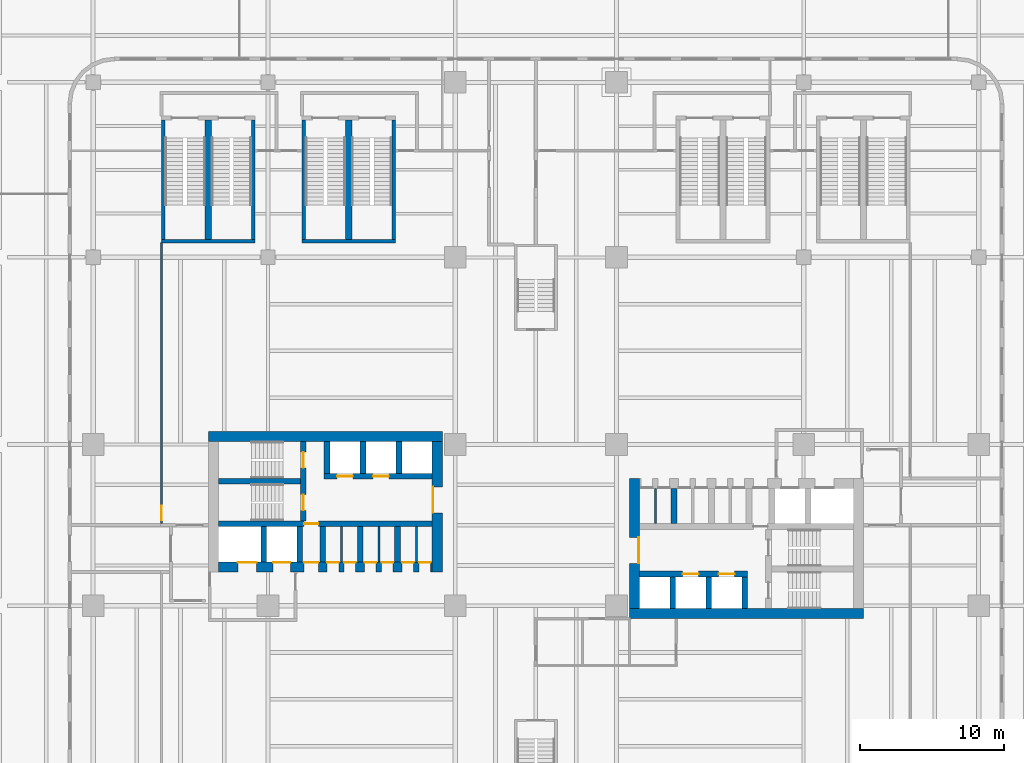
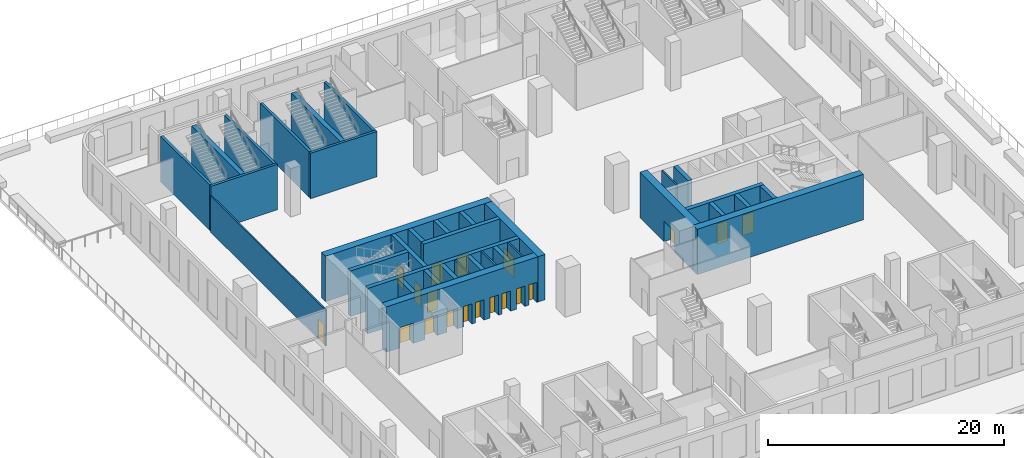
# One storey, part 9 of 17: 35 walls, 19 doors, 19 openings.
"""IFC4 building model written with IfcOpenShell, lengths in metres."""

from ifc_helpers import new_model, si_unit, direction, frame, frame_2d, origin, place, context, subcontext, project, spatial, rectangle, extrude, source, transform, mapped, material, layer, layer_set, type_object, element, fill, save


model = new_model("IFC4")

# Units and contexts
model_context = context("Model", 3, precision=1e-05, world=origin(), true_north=direction((0.0, 1.0)))
body_context = subcontext(model_context, "Body", "Model", "MODEL_VIEW")
ifc_project = project(units=[si_unit("LENGTHUNIT", "METRE"), si_unit("AREAUNIT", "SQUARE_METRE"), si_unit("VOLUMEUNIT", "CUBIC_METRE"), si_unit("PLANEANGLEUNIT", "RADIAN"), si_unit("MASSUNIT", "GRAM", prefix="KILO")], contexts=[model_context])

# Site, building, storey
site_placement = place(None, origin())
site = spatial("IfcSite", under=ifc_project, at=site_placement, CompositionType="ELEMENT")
building_placement = place(site_placement, origin())
building = spatial("IfcBuilding", under=site, at=building_placement, Name="Trellis Farm Tower", CompositionType="ELEMENT")
storey_placement = place(building_placement, frame((0.0, 0.0, 24.0)))
storey = spatial("IfcBuildingStorey", under=building, at=storey_placement, Name="L04", CompositionType="ELEMENT", Elevation=24.0)

# Wall, opening, door
ifc_material_1 = material(Name="Concrete C80/95", Category="concrete")
ifc_layer_1 = layer(ifc_material_1, 0.699951171875)
ifc_layer_set_1 = layer_set([ifc_layer_1], Name="CORE OUTER WALL 700 CONCRETE C80/95")
wall_type_1 = type_object("IfcWallType", Name="CORE OUTER WALL 700 CONCRETE C80/95", PredefinedType="SHEAR", material=ifc_layer_set_1)
shared_shape_1 = source(origin(), body_context, "Body", "SweptSolid", [
    extrude(rectangle(XDim=9.050048828125, YDim=0.699951171875, at=frame_2d((4.52490234375, 0.0))), origin(), (0.0, 0.0, 1.0), 4.699951171875),
])
wall_1_placement = place(storey_placement, frame((6.85009765625, -5.800048828125, 0.0), z_axis=(0.0, 0.0, 1.0), x_axis=(0.0, 1.0, 0.0)))
wall_1 = element("IfcWall", 1, at=wall_1_placement, inside=storey, type_object=wall_type_1, Name="Core wall", PredefinedType="SHEAR", context=body_context, shape_type="MappedRepresentation", body=[
    mapped(shared_shape_1, transform((0.0, 0.0, 0.0))),
])
shared_shape_2 = source(origin(), body_context, "Body", "SweptSolid", [
    extrude(rectangle(XDim=1.800048828125, YDim=2.10009765625, at=frame_2d((0.89990234375, 1.050048828125))), frame((0.0, 0.360107421875, 0.0), z_axis=(0.0, -1.0, 0.0), x_axis=(1.0, 0.0, 0.0)), (0.0, 0.0, 1.0), 0.72021484375),
])
opening_1_placement = place(wall_1_placement, frame((3.14990234375, 0.0, 0.0)))
opening_1 = element("IfcOpeningElement", 2, at=opening_1_placement, cuts=wall_1, Name="Opening DC1", PredefinedType="OPENING", context=body_context, shape_type="MappedRepresentation", body=[
    mapped(shared_shape_2, transform((0.0, 0.0, 0.0))),
])
ifc_material_2 = material(Name="Steel", Category="steel")
door_type_1 = type_object("IfcDoorType", Name="CORE FIRE DOOR DOUBLE 1800 X 2100", OperationType="DOUBLE_DOOR_SINGLE_SWING", PredefinedType="DOOR", material=ifc_material_2)
shared_shape_3 = source(origin(), body_context, "Body", "SweptSolid", [
    extrude(rectangle(XDim=1.800048828125, YDim=2.10009765625, at=frame_2d((0.89990234375, 1.050048828125))), frame((0.0, -0.27490234375, 0.0), z_axis=(0.0, -1.0, 0.0), x_axis=(1.0, 0.0, 0.0)), (0.0, 0.0, 1.0), 0.050048828125),
])
door_1_placement = place(opening_1_placement, origin())
door_1 = element("IfcDoor", 3, at=door_1_placement, inside=storey, type_object=door_type_1, Name="Core door", OperationType="DOUBLE_DOOR_SINGLE_SWING", OverallHeight=2.10009765625, OverallWidth=1.800048828125, PredefinedType="DOOR", context=body_context, shape_type="MappedRepresentation", body=[
    mapped(shared_shape_3, transform((0.0, 0.0, 0.0))),
])
fill(opening_1, door_1)

wall_2_placement = place(storey_placement, frame((-6.85009765625, 5.800048828125, 0.0), z_axis=(0.0, 0.0, 1.0), x_axis=(0.0, -1.0, 0.0)))
wall_2 = element("IfcWall", 4, at=wall_2_placement, inside=storey, type_object=wall_type_1, Name="Core wall", PredefinedType="SHEAR", context=body_context, shape_type="MappedRepresentation", body=[
    mapped(shared_shape_1, transform((0.0, 0.0, 0.0))),
])
opening_2_placement = place(wall_2_placement, frame((3.14990234375, 0.0, 0.0)))
opening_2 = element("IfcOpeningElement", 5, at=opening_2_placement, cuts=wall_2, Name="Opening DC87", PredefinedType="OPENING", context=body_context, shape_type="MappedRepresentation", body=[
    mapped(shared_shape_2, transform((0.0, 0.0, 0.0))),
])
door_2_placement = place(opening_2_placement, origin())
door_2 = element("IfcDoor", 6, at=door_2_placement, inside=storey, type_object=door_type_1, Name="Core door", OperationType="DOUBLE_DOOR_SINGLE_SWING", OverallHeight=2.10009765625, OverallWidth=1.800048828125, PredefinedType="DOOR", context=body_context, shape_type="MappedRepresentation", body=[
    mapped(shared_shape_3, transform((0.0, 0.0, 0.0))),
])
fill(opening_2, door_2)

# Walls
ifc_layer_2 = layer(ifc_material_1, 0.39990234375)
ifc_layer_set_2 = layer_set([ifc_layer_2], Name="CORE INNER WALL 400 CONCRETE C80/95")
wall_type_2 = type_object("IfcWallType", Name="CORE INNER WALL 400 CONCRETE C80/95", PredefinedType="SHEAR", material=ifc_layer_set_2)
shared_shape_4 = source(origin(), body_context, "Body", "SweptSolid", [
    extrude(rectangle(XDim=2.199951171875, YDim=0.39990234375, at=frame_2d((1.10009765625, 0.0))), origin(), (0.0, 0.0, 1.0), 4.699951171875),
])
for number, where, z_axis, x_axis, name in (
    (7, (9.5, -5.800048828125, 0.0), (0.0, 0.0, 1.0), (0.0, 1.0, 0.0), "Core wall"),
    (8, (12.0, -5.800048828125, 0.0), (0.0, 0.0, 1.0), (0.0, 1.0, 0.0), "Core wall"),
    (9, (14.5, -5.800048828125, 0.0), (0.0, 0.0, 1.0), (0.0, 1.0, 0.0), "Core wall"),
    (10, (-9.5, 5.800048828125, 0.0), (0.0, 0.0, 1.0), (0.0, -1.0, 0.0), "Core wall"),
    (11, (-12.0, 5.800048828125, 0.0), (0.0, 0.0, 1.0), (0.0, -1.0, 0.0), "Core wall"),
    (12, (-14.5, 5.800048828125, 0.0), (0.0, 0.0, 1.0), (0.0, -1.0, 0.0), "Core wall"),
):
    element("IfcWall", number, at=place(storey_placement, frame(where, z_axis=z_axis, x_axis=x_axis)), inside=storey, type_object=wall_type_2, Name=name, PredefinedType="SHEAR", context=body_context, shape_type="MappedRepresentation", body=[
        mapped(shared_shape_4, transform((0.0, 0.0, 0.0))),
    ])
shared_shape_5 = source(origin(), body_context, "Body", "SweptSolid", [
    extrude(rectangle(XDim=2.449951171875, YDim=0.39990234375, at=frame_2d((1.22509765625, 0.0))), origin(), (0.0, 0.0, 1.0), 4.699951171875),
])
for number, where, z_axis, x_axis, name in (
    (13, (9.60009765625, 0.10009765625, 0.0), (0.0, 0.0, 1.0), (0.0, 1.0, 0.0), "Core wall"),
    (14, (-9.60009765625, -0.10009765625, 0.0), (0.0, 0.0, 1.0), (0.0, -1.0, 0.0), "Core wall"),
    (15, (-12.199951171875, -0.10009765625, 0.0), (0.0, 0.0, 1.0), (0.0, -1.0, 0.0), "Core wall"),
    (16, (-14.800048828125, -0.10009765625, 0.0), (0.0, 0.0, 1.0), (0.0, -1.0, 0.0), "Core wall"),
    (17, (-16.39990234375, -0.10009765625, 0.0), (0.0, 0.0, 1.0), (0.0, -1.0, 0.0), "Core wall"),
    (18, (-18.89990234375, -0.10009765625, 0.0), (0.0, 0.0, 1.0), (0.0, -1.0, 0.0), "Core wall"),
):
    element("IfcWall", number, at=place(storey_placement, frame(where, z_axis=z_axis, x_axis=x_axis)), inside=storey, type_object=wall_type_2, Name=name, PredefinedType="SHEAR", context=body_context, shape_type="MappedRepresentation", body=[
        mapped(shared_shape_5, transform((0.0, 0.0, 0.0))),
    ])
shared_shape_6 = source(origin(), body_context, "Body", "SweptSolid", [
    extrude(rectangle(XDim=16.25, YDim=0.699951171875, at=frame_2d((8.125, 0.0))), origin(), (0.0, 0.0, 1.0), 4.699951171875),
])
for number, where, z_axis, x_axis, name in (
    (19, (6.5, -6.14990234375, 0.0), (0.0, 0.0, 1.0), (1.0, 0.0, 0.0), "Core wall"),
    (20, (-6.5, 6.14990234375, 0.0), (0.0, 0.0, 1.0), (-1.0, 0.0, 0.0), "Core wall"),
):
    element("IfcWall", number, at=place(storey_placement, frame(where, z_axis=z_axis, x_axis=x_axis)), inside=storey, type_object=wall_type_1, Name=name, PredefinedType="SHEAR", context=body_context, shape_type="MappedRepresentation", body=[
        mapped(shared_shape_6, transform((0.0, 0.0, 0.0))),
    ])

# Wall, openings, doors
shared_shape_7 = source(origin(), body_context, "Body", "SweptSolid", [
    extrude(rectangle(XDim=14.85009765625, YDim=0.699951171875, at=frame_2d((7.425048828125, 0.0))), origin(), (0.0, 0.0, 1.0), 4.699951171875),
])
wall_3_placement = place(storey_placement, frame((-7.199951171875, -2.89990234375, 0.0), z_axis=(0.0, 0.0, 1.0), x_axis=(-1.0, 0.0, 0.0)))
wall_3 = element("IfcWall", 21, at=wall_3_placement, inside=storey, type_object=wall_type_1, Name="Core wall", PredefinedType="SHEAR", context=body_context, shape_type="MappedRepresentation", body=[
    mapped(shared_shape_7, transform((0.0, 0.0, 0.0))),
])
shared_shape_8 = source(origin(), body_context, "Body", "SweptSolid", [
    extrude(rectangle(XDim=1.300048828125, YDim=2.10009765625, at=frame_2d((0.64990234375, 1.050048828125))), frame((0.0, 0.360107421875, 0.0), z_axis=(0.0, -1.0, 0.0), x_axis=(1.0, 0.0, 0.0)), (0.0, 0.0, 1.0), 0.72021484375),
])
opening_3_placement = place(wall_3_placement, frame((12.199951171875, 0.0, 0.0)))
opening_3 = element("IfcOpeningElement", 22, at=opening_3_placement, cuts=wall_3, Name="Opening LD15", PredefinedType="OPENING", context=body_context, shape_type="MappedRepresentation", body=[
    mapped(shared_shape_8, transform((0.0, 0.0, 0.0))),
])
shared_shape_9 = source(origin(), body_context, "Body", "SweptSolid", [
    extrude(rectangle(XDim=1.199951171875, YDim=2.10009765625, at=frame_2d((0.60009765625, 1.050048828125))), frame((0.0, 0.360107421875, 0.0), z_axis=(0.0, -1.0, 0.0), x_axis=(1.0, 0.0, 0.0)), (0.0, 0.0, 1.0), 0.72021484375),
])
opening_4_placement = place(wall_3_placement, frame((9.85009765625, 0.0, 0.0)))
opening_4 = element("IfcOpeningElement", 23, at=opening_4_placement, cuts=wall_3, Name="Opening LD16", PredefinedType="OPENING", context=body_context, shape_type="MappedRepresentation", body=[
    mapped(shared_shape_9, transform((0.0, 0.0, 0.0))),
])
shared_shape_10 = source(origin(), body_context, "Body", "SweptSolid", [
    extrude(rectangle(XDim=1.0, YDim=2.10009765625, at=frame_2d((0.5, 1.050048828125))), frame((0.0, 0.360107421875, 0.0), z_axis=(0.0, -1.0, 0.0), x_axis=(1.0, 0.0, 0.0)), (0.0, 0.0, 1.0), 0.72021484375),
])
opening_5_placement = place(wall_3_placement, frame((7.89990234375, 0.0, 0.0)))
opening_5 = element("IfcOpeningElement", 24, at=opening_5_placement, cuts=wall_3, Name="Opening DC92", PredefinedType="OPENING", context=body_context, shape_type="MappedRepresentation", body=[
    mapped(shared_shape_10, transform((0.0, 0.0, 0.0))),
])
shared_shape_11 = source(origin(), body_context, "Body", "SweptSolid", [
    extrude(rectangle(XDim=0.800048828125, YDim=2.10009765625, at=frame_2d((0.39990234375, 1.050048828125))), frame((0.0, 0.360107421875, 0.0), z_axis=(0.0, -1.0, 0.0), x_axis=(1.0, 0.0, 0.0)), (0.0, 0.0, 1.0), 0.72021484375),
])
opening_6_placement = place(wall_3_placement, frame((0.112548828125, 0.0, 0.0)))
opening_6 = element("IfcOpeningElement", 25, at=opening_6_placement, cuts=wall_3, Name="Opening DC95", PredefinedType="OPENING", context=body_context, shape_type="MappedRepresentation", body=[
    mapped(shared_shape_11, transform((0.0, 0.0, 0.0))),
])
opening_7_placement = place(wall_3_placement, frame((1.28759765625, 0.0, 0.0)))
opening_7 = element("IfcOpeningElement", 26, at=opening_7_placement, cuts=wall_3, Name="Opening DC102", PredefinedType="OPENING", context=body_context, shape_type="MappedRepresentation", body=[
    mapped(shared_shape_11, transform((0.0, 0.0, 0.0))),
])
opening_8_placement = place(wall_3_placement, frame((2.71240234375, 0.0, 0.0)))
opening_8 = element("IfcOpeningElement", 27, at=opening_8_placement, cuts=wall_3, Name="Opening DC107", PredefinedType="OPENING", context=body_context, shape_type="MappedRepresentation", body=[
    mapped(shared_shape_11, transform((0.0, 0.0, 0.0))),
])
opening_9_placement = place(wall_3_placement, frame((3.887451171875, 0.0, 0.0)))
opening_9 = element("IfcOpeningElement", 28, at=opening_9_placement, cuts=wall_3, Name="Opening DC114", PredefinedType="OPENING", context=body_context, shape_type="MappedRepresentation", body=[
    mapped(shared_shape_11, transform((0.0, 0.0, 0.0))),
])
opening_10_placement = place(wall_3_placement, frame((5.3125, 0.0, 0.0)))
opening_10 = element("IfcOpeningElement", 29, at=opening_10_placement, cuts=wall_3, Name="Opening DC119", PredefinedType="OPENING", context=body_context, shape_type="MappedRepresentation", body=[
    mapped(shared_shape_11, transform((0.0, 0.0, 0.0))),
])
opening_11_placement = place(wall_3_placement, frame((6.487548828125, 0.0, 0.0)))
opening_11 = element("IfcOpeningElement", 30, at=opening_11_placement, cuts=wall_3, Name="Opening DC126", PredefinedType="OPENING", context=body_context, shape_type="MappedRepresentation", body=[
    mapped(shared_shape_11, transform((0.0, 0.0, 0.0))),
])
door_type_2 = type_object("IfcDoorType", Name="CORE FIRE DOOR 1000 X 2100", OperationType="NOTDEFINED", PredefinedType="DOOR", material=ifc_material_2)
shared_shape_12 = source(origin(), body_context, "Body", "SweptSolid", [
    extrude(rectangle(XDim=1.0, YDim=2.10009765625, at=frame_2d((0.5, 1.050048828125))), frame((0.0, -0.27490234375, 0.0), z_axis=(0.0, -1.0, 0.0), x_axis=(1.0, 0.0, 0.0)), (0.0, 0.0, 1.0), 0.050048828125),
])
door_3_placement = place(opening_5_placement, origin())
door_3 = element("IfcDoor", 31, at=door_3_placement, inside=storey, type_object=door_type_2, Name="Core door", OperationType="SINGLE_SWING_LEFT", OverallHeight=2.10009765625, OverallWidth=1.0, PredefinedType="DOOR", context=body_context, shape_type="MappedRepresentation", body=[
    mapped(shared_shape_12, transform((0.0, 0.0, 0.0))),
])
fill(opening_5, door_3)
ifc_material_3 = material(Name="Stainless steel", Category="steel")
door_type_3 = type_object("IfcDoorType", Name="LIFT LANDING DOOR 1300 X 2100", OperationType="DOUBLE_DOOR_SLIDING", PredefinedType="DOOR", material=ifc_material_3)
shared_shape_13 = source(origin(), body_context, "Body", "SweptSolid", [
    extrude(rectangle(XDim=1.300048828125, YDim=2.10009765625, at=frame_2d((0.64990234375, 1.050048828125))), frame((0.0, -0.27490234375, 0.0), z_axis=(0.0, -1.0, 0.0), x_axis=(1.0, 0.0, 0.0)), (0.0, 0.0, 1.0), 0.050048828125),
])
door_4_placement = place(opening_3_placement, origin())
door_4 = element("IfcDoor", 32, at=door_4_placement, inside=storey, type_object=door_type_3, Name="Lift landing door", OperationType="DOUBLE_DOOR_SLIDING", OverallHeight=2.10009765625, OverallWidth=1.300048828125, PredefinedType="DOOR", context=body_context, shape_type="MappedRepresentation", body=[
    mapped(shared_shape_13, transform((0.0, 0.0, 0.0))),
])
fill(opening_3, door_4)
door_type_4 = type_object("IfcDoorType", Name="LIFT LANDING DOOR 1200 X 2100", OperationType="DOUBLE_DOOR_SLIDING", PredefinedType="DOOR", material=ifc_material_3)
shared_shape_14 = source(origin(), body_context, "Body", "SweptSolid", [
    extrude(rectangle(XDim=1.199951171875, YDim=2.10009765625, at=frame_2d((0.60009765625, 1.050048828125))), frame((0.0, -0.27490234375, 0.0), z_axis=(0.0, -1.0, 0.0), x_axis=(1.0, 0.0, 0.0)), (0.0, 0.0, 1.0), 0.050048828125),
])
door_5_placement = place(opening_4_placement, origin())
door_5 = element("IfcDoor", 33, at=door_5_placement, inside=storey, type_object=door_type_4, Name="Lift landing door", OperationType="DOUBLE_DOOR_SLIDING", OverallHeight=2.10009765625, OverallWidth=1.199951171875, PredefinedType="DOOR", context=body_context, shape_type="MappedRepresentation", body=[
    mapped(shared_shape_14, transform((0.0, 0.0, 0.0))),
])
fill(opening_4, door_5)
door_type_5 = type_object("IfcDoorType", Name="CORE FIRE DOOR 800 X 2100", OperationType="NOTDEFINED", PredefinedType="DOOR", material=ifc_material_2)
shared_shape_15 = source(origin(), body_context, "Body", "SweptSolid", [
    extrude(rectangle(XDim=0.800048828125, YDim=2.10009765625, at=frame_2d((0.39990234375, 1.050048828125))), frame((0.0, -0.27490234375, 0.0), z_axis=(0.0, -1.0, 0.0), x_axis=(1.0, 0.0, 0.0)), (0.0, 0.0, 1.0), 0.050048828125),
])
door_6_placement = place(opening_6_placement, origin())
door_6 = element("IfcDoor", 34, at=door_6_placement, inside=storey, type_object=door_type_5, Name="Core door", OperationType="SINGLE_SWING_LEFT", OverallHeight=2.10009765625, OverallWidth=0.800048828125, PredefinedType="DOOR", context=body_context, shape_type="MappedRepresentation", body=[
    mapped(shared_shape_15, transform((0.0, 0.0, 0.0))),
])
fill(opening_6, door_6)
door_7_placement = place(opening_7_placement, origin())
door_7 = element("IfcDoor", 35, at=door_7_placement, inside=storey, type_object=door_type_5, Name="Core door", OperationType="SINGLE_SWING_RIGHT", OverallHeight=2.10009765625, OverallWidth=0.800048828125, PredefinedType="DOOR", context=body_context, shape_type="MappedRepresentation", body=[
    mapped(shared_shape_15, transform((0.0, 0.0, 0.0))),
])
fill(opening_7, door_7)
door_8_placement = place(opening_8_placement, origin())
door_8 = element("IfcDoor", 36, at=door_8_placement, inside=storey, type_object=door_type_5, Name="Core door", OperationType="SINGLE_SWING_LEFT", OverallHeight=2.10009765625, OverallWidth=0.800048828125, PredefinedType="DOOR", context=body_context, shape_type="MappedRepresentation", body=[
    mapped(shared_shape_15, transform((0.0, 0.0, 0.0))),
])
fill(opening_8, door_8)
door_9_placement = place(opening_9_placement, origin())
door_9 = element("IfcDoor", 37, at=door_9_placement, inside=storey, type_object=door_type_5, Name="Core door", OperationType="SINGLE_SWING_RIGHT", OverallHeight=2.10009765625, OverallWidth=0.800048828125, PredefinedType="DOOR", context=body_context, shape_type="MappedRepresentation", body=[
    mapped(shared_shape_15, transform((0.0, 0.0, 0.0))),
])
fill(opening_9, door_9)
door_10_placement = place(opening_10_placement, origin())
door_10 = element("IfcDoor", 38, at=door_10_placement, inside=storey, type_object=door_type_5, Name="Core door", OperationType="SINGLE_SWING_LEFT", OverallHeight=2.10009765625, OverallWidth=0.800048828125, PredefinedType="DOOR", context=body_context, shape_type="MappedRepresentation", body=[
    mapped(shared_shape_15, transform((0.0, 0.0, 0.0))),
])
fill(opening_10, door_10)
door_11_placement = place(opening_11_placement, origin())
door_11 = element("IfcDoor", 39, at=door_11_placement, inside=storey, type_object=door_type_5, Name="Core door", OperationType="SINGLE_SWING_RIGHT", OverallHeight=2.10009765625, OverallWidth=0.800048828125, PredefinedType="DOOR", context=body_context, shape_type="MappedRepresentation", body=[
    mapped(shared_shape_15, transform((0.0, 0.0, 0.0))),
])
fill(opening_11, door_11)

shared_shape_16 = source(origin(), body_context, "Body", "SweptSolid", [
    extrude(rectangle(XDim=7.5, YDim=0.39990234375, at=frame_2d((3.75, 0.0))), origin(), (0.0, 0.0, 1.0), 4.699951171875),
])
wall_4_placement = place(storey_placement, frame((7.199951171875, -3.39990234375, 0.0), z_axis=(0.0, 0.0, 1.0), x_axis=(1.0, 0.0, 0.0)))
wall_4 = element("IfcWall", 40, at=wall_4_placement, inside=storey, type_object=wall_type_2, Name="Core wall", PredefinedType="SHEAR", context=body_context, shape_type="MappedRepresentation", body=[
    mapped(shared_shape_16, transform((0.0, 0.0, 0.0))),
])
shared_shape_17 = source(origin(), body_context, "Body", "SweptSolid", [
    extrude(rectangle(XDim=1.10009765625, YDim=2.10009765625, at=frame_2d((0.550048828125, 1.050048828125))), frame((0.0, 0.2099609375, 0.0), z_axis=(0.0, -1.0, 0.0), x_axis=(1.0, 0.0, 0.0)), (0.0, 0.0, 1.0), 0.419921875),
])
opening_12_placement = place(wall_4_placement, frame((3.0, 0.0, 0.0)))
opening_12 = element("IfcOpeningElement", 41, at=opening_12_placement, cuts=wall_4, Name="Opening LD2", PredefinedType="OPENING", context=body_context, shape_type="MappedRepresentation", body=[
    mapped(shared_shape_17, transform((0.0, 0.0, 0.0))),
])
opening_13_placement = place(wall_4_placement, frame((5.5, 0.0, 0.0)))
opening_13 = element("IfcOpeningElement", 42, at=opening_13_placement, cuts=wall_4, Name="Opening LD3", PredefinedType="OPENING", context=body_context, shape_type="MappedRepresentation", body=[
    mapped(shared_shape_17, transform((0.0, 0.0, 0.0))),
])
door_type_6 = type_object("IfcDoorType", Name="LIFT LANDING DOOR 1100 X 2100", OperationType="DOUBLE_DOOR_SLIDING", PredefinedType="DOOR", material=ifc_material_3)
shared_shape_18 = source(origin(), body_context, "Body", "SweptSolid", [
    extrude(rectangle(XDim=1.10009765625, YDim=2.10009765625, at=frame_2d((0.550048828125, 1.050048828125))), frame((0.0, 0.02490234375, 0.0), z_axis=(0.0, -1.0, 0.0), x_axis=(1.0, 0.0, 0.0)), (0.0, 0.0, 1.0), 0.050048828125),
])
door_12_placement = place(opening_12_placement, origin())
door_12 = element("IfcDoor", 43, at=door_12_placement, inside=storey, type_object=door_type_6, Name="Lift landing door", OperationType="DOUBLE_DOOR_SLIDING", OverallHeight=2.10009765625, OverallWidth=1.10009765625, PredefinedType="DOOR", context=body_context, shape_type="MappedRepresentation", body=[
    mapped(shared_shape_18, transform((0.0, 0.0, 0.0))),
])
fill(opening_12, door_12)
door_13_placement = place(opening_13_placement, origin())
door_13 = element("IfcDoor", 44, at=door_13_placement, inside=storey, type_object=door_type_6, Name="Lift landing door", OperationType="DOUBLE_DOOR_SLIDING", OverallHeight=2.10009765625, OverallWidth=1.10009765625, PredefinedType="DOOR", context=body_context, shape_type="MappedRepresentation", body=[
    mapped(shared_shape_18, transform((0.0, 0.0, 0.0))),
])
fill(opening_13, door_13)

wall_5_placement = place(storey_placement, frame((-7.199951171875, 3.39990234375, 0.0), z_axis=(0.0, 0.0, 1.0), x_axis=(-1.0, 0.0, 0.0)))
wall_5 = element("IfcWall", 45, at=wall_5_placement, inside=storey, type_object=wall_type_2, Name="Core wall", PredefinedType="SHEAR", context=body_context, shape_type="MappedRepresentation", body=[
    mapped(shared_shape_16, transform((0.0, 0.0, 0.0))),
])
opening_14_placement = place(wall_5_placement, frame((3.0, 0.0, 0.0)))
opening_14 = element("IfcOpeningElement", 46, at=opening_14_placement, cuts=wall_5, Name="Opening LD10", PredefinedType="OPENING", context=body_context, shape_type="MappedRepresentation", body=[
    mapped(shared_shape_17, transform((0.0, 0.0, 0.0))),
])
opening_15_placement = place(wall_5_placement, frame((5.5, 0.0, 0.0)))
opening_15 = element("IfcOpeningElement", 47, at=opening_15_placement, cuts=wall_5, Name="Opening LD11", PredefinedType="OPENING", context=body_context, shape_type="MappedRepresentation", body=[
    mapped(shared_shape_17, transform((0.0, 0.0, 0.0))),
])
door_14_placement = place(opening_14_placement, origin())
door_14 = element("IfcDoor", 48, at=door_14_placement, inside=storey, type_object=door_type_6, Name="Lift landing door", OperationType="DOUBLE_DOOR_SLIDING", OverallHeight=2.10009765625, OverallWidth=1.10009765625, PredefinedType="DOOR", context=body_context, shape_type="MappedRepresentation", body=[
    mapped(shared_shape_18, transform((0.0, 0.0, 0.0))),
])
fill(opening_14, door_14)
door_15_placement = place(opening_15_placement, origin())
door_15 = element("IfcDoor", 49, at=door_15_placement, inside=storey, type_object=door_type_6, Name="Lift landing door", OperationType="DOUBLE_DOOR_SLIDING", OverallHeight=2.10009765625, OverallWidth=1.10009765625, PredefinedType="DOOR", context=body_context, shape_type="MappedRepresentation", body=[
    mapped(shared_shape_18, transform((0.0, 0.0, 0.0))),
])
fill(opening_15, door_15)

# Wall, opening, door
shared_shape_19 = source(origin(), body_context, "Body", "SweptSolid", [
    extrude(rectangle(XDim=14.85009765625, YDim=0.39990234375, at=frame_2d((7.425048828125, 0.0))), origin(), (0.0, 0.0, 1.0), 4.699951171875),
])
wall_6_placement = place(storey_placement, frame((-7.199951171875, 0.10009765625, 0.0), z_axis=(0.0, 0.0, 1.0), x_axis=(-1.0, 0.0, 0.0)))
wall_6 = element("IfcWall", 50, at=wall_6_placement, inside=storey, type_object=wall_type_2, Name="Core wall", PredefinedType="SHEAR", context=body_context, shape_type="MappedRepresentation", body=[
    mapped(shared_shape_19, transform((0.0, 0.0, 0.0))),
])
shared_shape_20 = source(origin(), body_context, "Body", "SweptSolid", [
    extrude(rectangle(XDim=1.0, YDim=2.10009765625, at=frame_2d((0.5, 1.050048828125))), frame((0.0, 0.2099609375, 0.0), z_axis=(0.0, -1.0, 0.0), x_axis=(1.0, 0.0, 0.0)), (0.0, 0.0, 1.0), 0.419921875),
])
opening_16_placement = place(wall_6_placement, frame((7.89990234375, 0.0, 0.0)))
opening_16 = element("IfcOpeningElement", 51, at=opening_16_placement, cuts=wall_6, Name="Opening DC91", PredefinedType="OPENING", context=body_context, shape_type="MappedRepresentation", body=[
    mapped(shared_shape_20, transform((0.0, 0.0, 0.0))),
])
shared_shape_21 = source(origin(), body_context, "Body", "SweptSolid", [
    extrude(rectangle(XDim=1.0, YDim=2.10009765625, at=frame_2d((0.5, 1.050048828125))), frame((0.0, 0.02490234375, 0.0), z_axis=(0.0, -1.0, 0.0), x_axis=(1.0, 0.0, 0.0)), (0.0, 0.0, 1.0), 0.050048828125),
])
door_16_placement = place(opening_16_placement, origin())
door_16 = element("IfcDoor", 52, at=door_16_placement, inside=storey, type_object=door_type_2, Name="Core door", OperationType="SINGLE_SWING_RIGHT", OverallHeight=2.10009765625, OverallWidth=1.0, PredefinedType="DOOR", context=body_context, shape_type="MappedRepresentation", body=[
    mapped(shared_shape_21, transform((0.0, 0.0, 0.0))),
])
fill(opening_16, door_16)

# Wall, openings, doors
shared_shape_22 = source(origin(), body_context, "Body", "SweptSolid", [
    extrude(rectangle(XDim=5.5, YDim=0.39990234375, at=frame_2d((2.75, 0.0))), origin(), (0.0, 0.0, 1.0), 4.699951171875),
])
wall_7_placement = place(storey_placement, frame((-16.14990234375, 5.800048828125, 0.0), z_axis=(0.0, 0.0, 1.0), x_axis=(0.0, -1.0, 0.0)))
wall_7 = element("IfcWall", 53, at=wall_7_placement, inside=storey, type_object=wall_type_2, Name="Core wall", PredefinedType="SHEAR", context=body_context, shape_type="MappedRepresentation", body=[
    mapped(shared_shape_22, transform((0.0, 0.0, 0.0))),
])
opening_17_placement = place(wall_7_placement, frame((0.72509765625, 0.0, 0.0)))
opening_17 = element("IfcOpeningElement", 54, at=opening_17_placement, cuts=wall_7, Name="Opening DC88", PredefinedType="OPENING", context=body_context, shape_type="MappedRepresentation", body=[
    mapped(shared_shape_17, transform((0.0, 0.0, 0.0))),
])
opening_18_placement = place(wall_7_placement, frame((3.675048828125, 0.0, 0.0)))
opening_18 = element("IfcOpeningElement", 55, at=opening_18_placement, cuts=wall_7, Name="Opening DC89", PredefinedType="OPENING", context=body_context, shape_type="MappedRepresentation", body=[
    mapped(shared_shape_17, transform((0.0, 0.0, 0.0))),
])
door_type_7 = type_object("IfcDoorType", Name="CORE FIRE DOOR 1100 X 2100", OperationType="NOTDEFINED", PredefinedType="DOOR", material=ifc_material_2)
door_17_placement = place(opening_17_placement, origin())
door_17 = element("IfcDoor", 56, at=door_17_placement, inside=storey, type_object=door_type_7, Name="Core door", OperationType="SINGLE_SWING_RIGHT", OverallHeight=2.10009765625, OverallWidth=1.10009765625, PredefinedType="DOOR", context=body_context, shape_type="MappedRepresentation", body=[
    mapped(shared_shape_18, transform((0.0, 0.0, 0.0))),
])
fill(opening_17, door_17)
door_18_placement = place(opening_18_placement, origin())
door_18 = element("IfcDoor", 57, at=door_18_placement, inside=storey, type_object=door_type_7, Name="Core door", OperationType="SINGLE_SWING_LEFT", OverallHeight=2.10009765625, OverallWidth=1.10009765625, PredefinedType="DOOR", context=body_context, shape_type="MappedRepresentation", body=[
    mapped(shared_shape_18, transform((0.0, 0.0, 0.0))),
])
fill(opening_18, door_18)

# Walls
shared_shape_23 = source(origin(), body_context, "Body", "SweptSolid", [
    extrude(rectangle(XDim=5.699951171875, YDim=0.39990234375, at=frame_2d((2.85009765625, 0.0))), origin(), (0.0, 0.0, 1.0), 4.699951171875),
])
wall_8_placement = place(storey_placement, frame((-16.35009765625, 3.050048828125, 0.0), z_axis=(0.0, 0.0, 1.0), x_axis=(-1.0, 0.0, 0.0)))
element("IfcWall", 58, at=wall_8_placement, inside=storey, type_object=wall_type_2, Name="Core wall", PredefinedType="SHEAR", context=body_context, shape_type="MappedRepresentation", body=[
    mapped(shared_shape_23, transform((0.0, 0.0, 0.0))),
])
ifc_material_4 = material(Name="Masonry blockwork", Category="masonry")
ifc_layer_3 = layer(ifc_material_4, 0.14990234375)
ifc_layer_set_3 = layer_set([ifc_layer_3], Name="CORE PARTITION 150 BLOCKWORK")
wall_type_3 = type_object("IfcWallType", Name="CORE PARTITION 150 BLOCKWORK", PredefinedType="PARTITIONING", material=ifc_layer_set_3)
shared_shape_24 = source(origin(), body_context, "Body", "SweptSolid", [
    extrude(rectangle(XDim=2.449951171875, YDim=0.14990234375, at=frame_2d((1.22509765625, 0.0))), origin(), (0.0, 0.0, 1.0), 4.699951171875),
])
for number, where, z_axis, x_axis, name in (
    (59, (8.300048828125, 0.10009765625, 0.0), (0.0, 0.0, 1.0), (0.0, 1.0, 0.0), "Core room partition"),
    (60, (-8.300048828125, -0.10009765625, 0.0), (0.0, 0.0, 1.0), (0.0, -1.0, 0.0), "Core room partition"),
    (61, (-10.89990234375, -0.10009765625, 0.0), (0.0, 0.0, 1.0), (0.0, -1.0, 0.0), "Core room partition"),
    (62, (-13.5, -0.10009765625, 0.0), (0.0, 0.0, 1.0), (0.0, -1.0, 0.0), "Core room partition"),
):
    element("IfcWall", number, at=place(storey_placement, frame(where, z_axis=z_axis, x_axis=x_axis)), inside=storey, type_object=wall_type_3, Name=name, PredefinedType="PARTITIONING", context=body_context, shape_type="MappedRepresentation", body=[
        mapped(shared_shape_24, transform((0.0, 0.0, 0.0))),
    ])
ifc_layer_4 = layer(ifc_material_1, 0.25)
ifc_layer_set_4 = layer_set([ifc_layer_4], Name="CORE STAIR ENCLOSURE WALL 250 CONCRETE C80/95")
wall_type_4 = type_object("IfcWallType", Name="CORE STAIR ENCLOSURE WALL 250 CONCRETE C80/95", PredefinedType="SHEAR", material=ifc_layer_set_4)
shared_shape_25 = source(origin(), body_context, "Body", "SweptSolid", [
    extrude(rectangle(XDim=6.5, YDim=0.25, at=frame_2d((3.25, 0.0))), origin(), (0.0, 0.0, 1.0), 4.699951171875),
])
for number, where, z_axis, x_axis, name in (
    (63, (-26.0, 19.72509765625, 0.0), (0.0, 0.0, 1.0), (1.0, 0.0, 0.0), "Podium stair enclosure wall"),
    (64, (-16.25, 19.72509765625, 0.0), (0.0, 0.0, 1.0), (1.0, 0.0, 0.0), "Podium stair enclosure wall"),
):
    element("IfcWall", number, at=place(storey_placement, frame(where, z_axis=z_axis, x_axis=x_axis)), inside=storey, type_object=wall_type_4, Name=name, PredefinedType="SHEAR", context=body_context, shape_type="MappedRepresentation", body=[
        mapped(shared_shape_25, transform((0.0, 0.0, 0.0))),
    ])
shared_shape_26 = source(origin(), body_context, "Body", "SweptSolid", [
    extrude(rectangle(XDim=8.2998046875, YDim=0.25, at=frame_2d((4.14990234375, 0.0))), origin(), (0.0, 0.0, 1.0), 4.699951171875),
])
for number, where, z_axis, x_axis, name in (
    (65, (-25.875, 19.85009765625, 0.0), (0.0, 0.0, 1.0), (0.0, 1.0, 0.0), "Podium stair enclosure wall"),
    (66, (-19.625, 19.85009765625, 0.0), (0.0, 0.0, 1.0), (0.0, 1.0, 0.0), "Podium stair enclosure wall"),
    (67, (-16.125, 19.85009765625, 0.0), (0.0, 0.0, 1.0), (0.0, 1.0, 0.0), "Podium stair enclosure wall"),
    (68, (-9.875, 19.85009765625, 0.0), (0.0, 0.0, 1.0), (0.0, 1.0, 0.0), "Podium stair enclosure wall"),
):
    element("IfcWall", number, at=place(storey_placement, frame(where, z_axis=z_axis, x_axis=x_axis)), inside=storey, type_object=wall_type_4, Name=name, PredefinedType="SHEAR", context=body_context, shape_type="MappedRepresentation", body=[
        mapped(shared_shape_26, transform((0.0, 0.0, 0.0))),
    ])
ifc_layer_5 = layer(ifc_material_1, 0.43994140625)
ifc_layer_set_5 = layer_set([ifc_layer_5], Name="CORE STAIR ENCLOSURE WALL 440 CONCRETE C80/95")
wall_type_5 = type_object("IfcWallType", Name="CORE STAIR ENCLOSURE WALL 440 CONCRETE C80/95", PredefinedType="SHEAR", material=ifc_layer_set_5)
shared_shape_27 = source(origin(), body_context, "Body", "SweptSolid", [
    extrude(rectangle(XDim=8.2998046875, YDim=0.43994140625, at=frame_2d((4.14990234375, 0.0))), origin(), (0.0, 0.0, 1.0), 4.699951171875),
])
for number, where, z_axis, x_axis, name in (
    (69, (-22.75, 19.85009765625, 0.0), (0.0, 0.0, 1.0), (0.0, 1.0, 0.0), "Podium stair enclosure wall"),
    (70, (-13.0, 19.85009765625, 0.0), (0.0, 0.0, 1.0), (0.0, 1.0, 0.0), "Podium stair enclosure wall"),
):
    element("IfcWall", number, at=place(storey_placement, frame(where, z_axis=z_axis, x_axis=x_axis)), inside=storey, type_object=wall_type_5, Name=name, PredefinedType="SHEAR", context=body_context, shape_type="MappedRepresentation", body=[
        mapped(shared_shape_27, transform((0.0, 0.0, 0.0))),
    ])

# Wall, opening, door
ifc_material_5 = material(Name="Plasterboard on steel studs, mineral wool", Category="steel")
ifc_layer_6 = layer(ifc_material_5, 0.125)
ifc_layer_set_6 = layer_set([ifc_layer_6], Name="PARTITION 125 STUD EI 60")
wall_type_6 = type_object("IfcWallType", Name="PARTITION 125 STUD EI 60", PredefinedType="PARTITIONING", material=ifc_layer_set_6)
shared_shape_28 = source(origin(), body_context, "Body", "SweptSolid", [
    extrude(rectangle(XDim=19.5, YDim=0.125, at=frame_2d((9.75, 0.0))), origin(), (0.0, 0.0, 1.0), 3.76171875),
])
wall_9_placement = place(storey_placement, frame((-26.0, 0.10009765625, 0.0), z_axis=(0.0, 0.0, 1.0), x_axis=(0.0, 1.0, 0.0)))
wall_9 = element("IfcWall", 71, at=wall_9_placement, inside=storey, type_object=wall_type_6, Name="Partition PW1", PredefinedType="PARTITIONING", context=body_context, shape_type="MappedRepresentation", body=[
    mapped(shared_shape_28, transform((0.0, 0.0, 0.0))),
])
shared_shape_29 = source(origin(), body_context, "Body", "SweptSolid", [
    extrude(rectangle(XDim=1.0, YDim=2.10009765625, at=frame_2d((0.5, 1.050048828125))), frame((0.0, 0.072509765625, 0.0), z_axis=(0.0, -1.0, 0.0), x_axis=(1.0, 0.0, 0.0)), (0.0, 0.0, 1.0), 0.14501953125),
])
opening_19_placement = place(wall_9_placement, frame((0.25, 0.0, 0.0)))
opening_19 = element("IfcOpeningElement", 72, at=opening_19_placement, cuts=wall_9, Name="Opening D104", PredefinedType="OPENING", context=body_context, shape_type="MappedRepresentation", body=[
    mapped(shared_shape_29, transform((0.0, 0.0, 0.0))),
])
ifc_material_6 = material(Name="Fire-rated timber door leaf in a hollow metal frame", Category="wood")
door_type_8 = type_object("IfcDoorType", Name="DOOR 1000x2100 FD30S", OperationType="NOTDEFINED", PredefinedType="DOOR", material=ifc_material_6)
door_19_placement = place(opening_19_placement, origin())
door_19 = element("IfcDoor", 73, at=door_19_placement, inside=storey, type_object=door_type_8, Name="Door D104", OperationType="SINGLE_SWING_LEFT", OverallHeight=2.10009765625, OverallWidth=1.0, PredefinedType="DOOR", context=body_context, shape_type="MappedRepresentation", body=[
    mapped(shared_shape_21, transform((0.0, 0.0, 0.0))),
])
fill(opening_19, door_19)

save(model, "model.ifc")
